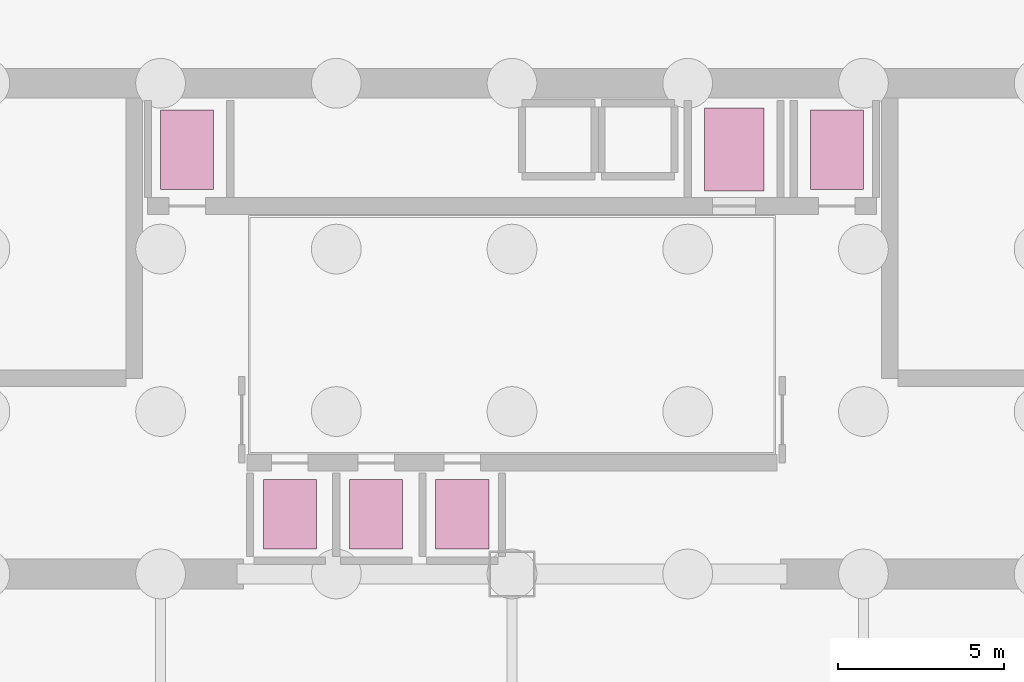
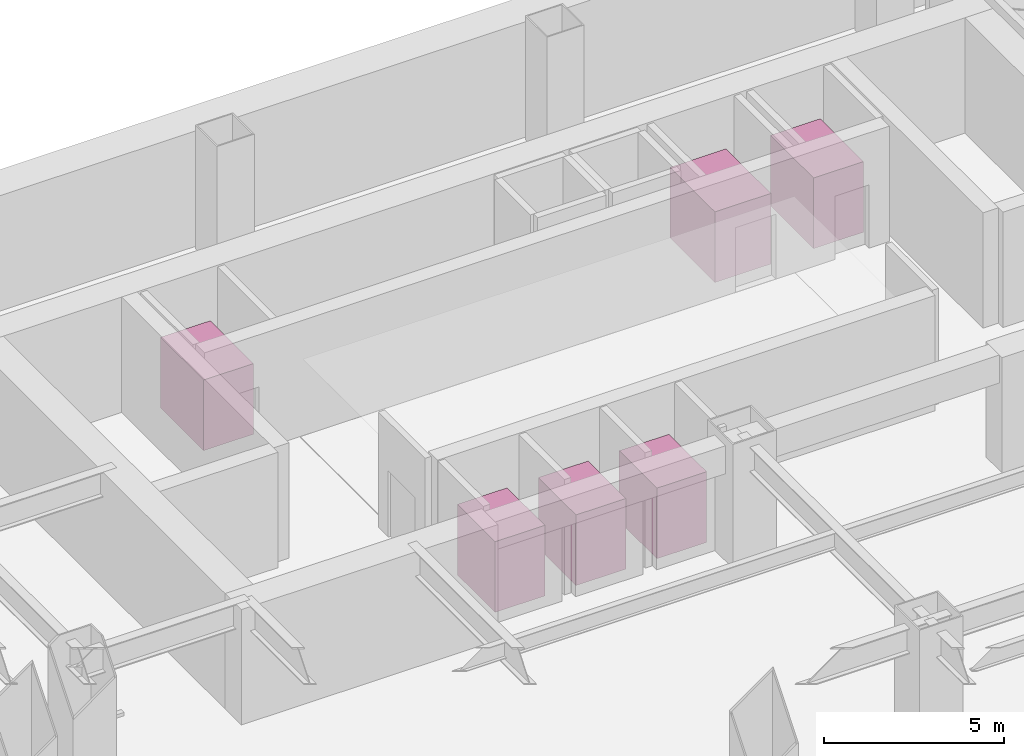
# One storey, part 7 of 7: 6 transport elements.
"""IFC4 building model written with IfcOpenShell, lengths in metres."""

import ifcopenshell
import ifcopenshell.guid

model = None  # the IFC model being written
_history = None  # IfcOwnerHistory: only IFC2X3 demands one
_inside = {}  # id of a spatial element -> (the spatial element, [elements in it])
_under = {}  # id of a project, library or spatial element -> (it, [spatial elements below it])
_declared = {}  # id of a project -> (the project, [libraries it declares])
_typed = {}  # id of a type object -> (the type object, [elements of that type])
_made_of = {}  # id of a material, layer set ... -> (it, [elements and type objects made of it])


def new_model(schema):
    """Start an empty IFC model of exactly this schema.

    Asked for "IFC4X3", IfcOpenShell would pick the latest addendum, in which some entities
    have other attributes; the version numbers below select the first issue.
    IFC2X3 requires an IfcOwnerHistory on every rooted entity: one is made here for all.
    """
    global model, _history
    if schema == "IFC4X3":
        model = ifcopenshell.file(schema_version=(4, 3, 0, 0))
    else:
        model = ifcopenshell.file(schema=schema)
    _inside.clear()
    _under.clear()
    _declared.clear()
    _typed.clear()
    _made_of.clear()
    _history = None
    if model.schema == "IFC2X3":
        org = make("IfcOrganization", Name="unknown")
        user = make(
            "IfcPersonAndOrganization",
            ThePerson=make("IfcPerson", FamilyName="unknown"),
            TheOrganization=org,
        )
        app = make(
            "IfcApplication",
            ApplicationDeveloper=org,
            Version="unknown",
            ApplicationFullName="unknown",
            ApplicationIdentifier="unknown",
        )
        _history = make(
            "IfcOwnerHistory",
            OwningUser=user,
            OwningApplication=app,
            ChangeAction="ADDED",
            CreationDate=0,
        )
    return model


def make(cls, **values):
    """One entity of the class cls with the attributes given. An attribute that is None is left unset."""
    return model.create_entity(
        cls, **{name: value for name, value in values.items() if value is not None}
    )


def rooted(cls, **values):
    """An entity with a GlobalId (a new one), such as an element, a storey or a relation."""
    return make(cls, GlobalId=ifcopenshell.guid.new(), OwnerHistory=_history, **values)


def si_unit(unit_type, name, prefix=None):
    """IfcSIUnit, for example si_unit("LENGTHUNIT", "METRE", prefix="MILLI")."""
    return make("IfcSIUnit", UnitType=unit_type, Prefix=prefix, Name=name)


def assignment(units):
    """IfcUnitAssignment: the units of a project."""
    return None if units is None else make("IfcUnitAssignment", Units=units)


def point(xyz):
    """IfcCartesianPoint."""
    return None if xyz is None else make("IfcCartesianPoint", Coordinates=xyz)


def direction(xyz):
    """IfcDirection."""
    return None if xyz is None else make("IfcDirection", DirectionRatios=xyz)


def frame(location, z_axis=None, x_axis=None):
    """IfcAxis2Placement3D, a coordinate frame: its origin and axes. An axis left out is left unset."""
    return make(
        "IfcAxis2Placement3D",
        Location=point(location),
        Axis=direction(z_axis),
        RefDirection=direction(x_axis),
    )


def frame_2d(location, x_axis=None):
    """IfcAxis2Placement2D, a coordinate frame in the plane: its origin and x axis."""
    return make(
        "IfcAxis2Placement2D", Location=point(location), RefDirection=direction(x_axis)
    )


def origin():
    """The frame at (0, 0, 0) with its axes left unset."""
    return frame((0.0, 0.0, 0.0))


def origin_2d():
    """The frame at (0, 0) in the plane with its x axis left unset."""
    return frame_2d((0.0, 0.0))


def place(relative_to, where):
    """IfcLocalPlacement: puts the frame where relative to a parent placement (None: the world)."""
    return make(
        "IfcLocalPlacement", PlacementRelTo=relative_to, RelativePlacement=where
    )


def context(
    kind, dimensions, precision=None, world=None, true_north=None, identifier=None
):
    """IfcGeometricRepresentationContext, for example the 3D "Model" context."""
    return make(
        "IfcGeometricRepresentationContext",
        ContextIdentifier=identifier,
        ContextType=kind,
        CoordinateSpaceDimension=dimensions,
        Precision=precision,
        WorldCoordinateSystem=world,
        TrueNorth=true_north,
    )


def subcontext(parent, identifier, kind, view, scale=None):
    """IfcGeometricRepresentationSubContext, for example "Body" below "Model"."""
    return make(
        "IfcGeometricRepresentationSubContext",
        ContextIdentifier=identifier,
        ContextType=kind,
        ParentContext=parent,
        TargetScale=scale,
        TargetView=view,
    )


def project(units=None, contexts=None):
    """IfcProject with its units and contexts."""
    return rooted(
        "IfcProject",
        Name="project",
        RepresentationContexts=contexts,
        UnitsInContext=assignment(units),
    )


def spatial(cls, under=None, at=None, **own):
    """A site, building, storey or space (cls), placed at a placement, below another one or the project."""
    s = rooted(cls, ObjectPlacement=at, **own)
    if under is not None:
        _under.setdefault(under.id(), (under, []))[1].append(s)
    return s


def profile(cls, at=None, kind="AREA", **sizes):
    """A parametric profile (cls). Its sizes go by their IFC names, for example OverallWidth=200.0."""
    return make(cls, ProfileType=kind, Position=at, **sizes)


def rectangle(**sizes):
    """IfcRectangleProfileDef."""
    return profile("IfcRectangleProfileDef", **sizes)


def extrude(swept, where, along, depth):
    """IfcExtrudedAreaSolid: the profile swept, set in the frame where, extruded along a direction by depth."""
    return make(
        "IfcExtrudedAreaSolid",
        SweptArea=swept,
        Position=where,
        ExtrudedDirection=direction(along),
        Depth=depth,
    )


def shape(context_of_items, identifier, shape_type, items):
    """IfcShapeRepresentation: the items that make up one representation, for example the "Body"."""
    return make(
        "IfcShapeRepresentation",
        ContextOfItems=context_of_items,
        RepresentationIdentifier=identifier,
        RepresentationType=shape_type,
        Items=items,
    )


def source(mapping_origin, context_of_items, identifier, shape_type, items):
    """IfcRepresentationMap: a shape defined once, which mapped items show again and again."""
    return make(
        "IfcRepresentationMap",
        MappingOrigin=mapping_origin,
        MappedRepresentation=shape(context_of_items, identifier, shape_type, items),
    )


def transform(
    local_origin,
    x_axis=None,
    y_axis=None,
    z_axis=None,
    scale=None,
    scale2=None,
    scale3=None,
    uniform=True,
):
    """IfcCartesianTransformationOperator3D, or its non-uniform kind. x_axis, y_axis, z_axis: its Axis1, 2, 3."""
    if uniform:
        return make(
            "IfcCartesianTransformationOperator3D",
            Axis1=direction(x_axis),
            Axis2=direction(y_axis),
            LocalOrigin=point(local_origin),
            Scale=scale,
            Axis3=direction(z_axis),
        )
    return make(
        "IfcCartesianTransformationOperator3DnonUniform",
        Axis1=direction(x_axis),
        Axis2=direction(y_axis),
        LocalOrigin=point(local_origin),
        Scale=scale,
        Axis3=direction(z_axis),
        Scale2=scale2,
        Scale3=scale3,
    )


def mapped(mapping_source, mapping_target):
    """IfcMappedItem: shows the shape of a source again, moved by a transform."""
    return make(
        "IfcMappedItem", MappingSource=mapping_source, MappingTarget=mapping_target
    )


def material(Name=None, Category=None):
    """IfcMaterial."""
    return make("IfcMaterial", Name=Name, Category=Category)


def made_of(thing, what):
    """Note that an element or type object is made of a material, layer set ...; save() writes the relation."""
    if what is not None:
        _made_of.setdefault(what.id(), (what, []))[1].append(thing)
    return thing


def type_object(cls, material=None, **own):
    """A type object (cls), such as IfcWallType, which elements share."""
    return made_of(rooted(cls, **own), material)


def element(
    cls,
    number,
    at=None,
    inside=None,
    cuts=None,
    type_object=None,
    material=None,
    context=None,
    identifier="Body",
    shape_type=None,
    held_by="IfcProductDefinitionShape",
    body=None,
    shapes=None,
    **own,
):
    """One element of the class cls, such as IfcWall. Its Tag is "e" and its number.

    at: its placement. inside: the storey or other place that contains it. cuts: it is an
    opening in that element (IfcRelVoidsElement). A single representation is given by context,
    identifier, shape_type and body (its items); several are given by shapes. held_by: the class
    of the entity that holds the representations. save() writes the other relations.
    """
    e = rooted(cls, Tag="e%d" % number, ObjectPlacement=at, **own)
    if body is not None:
        shapes = [shape(context, identifier, shape_type, body)]
    if shapes is not None:
        e.Representation = make(held_by, Representations=shapes)
    if inside is not None:
        _inside.setdefault(inside.id(), (inside, []))[1].append(e)
    if cuts is not None:
        rooted(
            "IfcRelVoidsElement", RelatingBuildingElement=cuts, RelatedOpeningElement=e
        )
    if type_object is not None:
        _typed.setdefault(type_object.id(), (type_object, []))[1].append(e)
    return made_of(e, material)


def aggregate(whole, parts):
    """IfcRelAggregates: a whole, such as a stair, and the parts it consists of."""
    return rooted("IfcRelAggregates", RelatingObject=whole, RelatedObjects=parts)


def save(model, path):
    """Write the relations noted so far, then the file.

    IfcRelAggregates (storeys below a building ...), IfcRelContainedInSpatialStructure (elements
    in a storey), IfcRelDefinesByType, IfcRelAssociatesMaterial and IfcRelDeclares: one each for
    every whole, place, type object, material and project.
    """
    for whole, parts in _under.values():
        aggregate(whole, parts)
    for where, things in _inside.values():
        rooted(
            "IfcRelContainedInSpatialStructure",
            RelatedElements=things,
            RelatingStructure=where,
        )
    for kind, things in _typed.values():
        rooted("IfcRelDefinesByType", RelatedObjects=things, RelatingType=kind)
    for what, things in _made_of.values():
        rooted("IfcRelAssociatesMaterial", RelatedObjects=things, RelatingMaterial=what)
    for by, libraries in _declared.values():
        rooted("IfcRelDeclares", RelatingContext=by, RelatedDefinitions=libraries)
    model.write(path)


model = new_model("IFC4")

# Units and contexts
model_context = context("Model", 3, precision=1e-05, world=origin(), true_north=direction((0.0, 1.0)))
body_context = subcontext(model_context, "Body", "Model", "MODEL_VIEW")
ifc_project = project(units=[si_unit("LENGTHUNIT", "METRE"), si_unit("AREAUNIT", "SQUARE_METRE"), si_unit("VOLUMEUNIT", "CUBIC_METRE"), si_unit("PLANEANGLEUNIT", "RADIAN"), si_unit("MASSUNIT", "GRAM", prefix="KILO")], contexts=[model_context])

# Site, building, storey
site_placement = place(None, origin())
site = spatial("IfcSite", under=ifc_project, at=site_placement, CompositionType="ELEMENT")
building_placement = place(site_placement, origin())
building = spatial("IfcBuilding", under=site, at=building_placement, Name="Qianlan Lanfeng Residences", CompositionType="ELEMENT")
storey_placement = place(building_placement, frame((0.0, 0.0, -8.39990234375)))
storey = spatial("IfcBuildingStorey", under=building, at=storey_placement, Name="B2", CompositionType="ELEMENT", Elevation=-8.39990234375)

# Transport elements
ifc_material = material(Name="Brushed Stainless Steel Lift Car", Category="steel")
transport_element_type_1 = type_object("IfcTransportElementType", Name="LFT-FF-1600", PredefinedType="ELEVATOR", material=ifc_material)
shared_shape_1 = source(origin(), body_context, "Body", "SweptSolid", [
    extrude(rectangle(XDim=1.60009765625, YDim=2.39990234375, at=origin_2d()), origin(), (0.0, 0.0, 1.0), 2.39990234375),
])
for number, where, z_axis, x_axis, name in (
    (1, (16.699951171875, 38.0, 0.0), (0.0, 0.0, 1.0), (1.0, 0.0, 0.0), "Elevator FFL-1 Car"),
    (2, (36.300048828125, 38.0, 0.0), (0.0, 0.0, 1.0), (1.0, 0.0, 0.0), "Elevator FFL-2 Car"),
):
    element("IfcTransportElement", number, at=place(storey_placement, frame(where, z_axis=z_axis, x_axis=x_axis)), inside=storey, type_object=transport_element_type_1, Name=name, PredefinedType="ELEVATOR", context=body_context, shape_type="MappedRepresentation", body=[
        mapped(shared_shape_1, transform((0.0, 0.0, 0.0), scale=1.0)),
    ])
transport_element_type_2 = type_object("IfcTransportElementType", Name="LFT-SV-2000", PredefinedType="ELEVATOR", material=ifc_material)
shared_shape_2 = source(origin(), body_context, "Body", "SweptSolid", [
    extrude(rectangle(XDim=1.800048828125, YDim=2.5, at=origin_2d()), origin(), (0.0, 0.0, 1.0), 2.39990234375),
])
transport_element_placement = place(storey_placement, frame((33.199951171875, 38.0, 0.0), z_axis=(0.0, 0.0, 1.0), x_axis=(1.0, 0.0, 0.0)))
element("IfcTransportElement", 3, at=transport_element_placement, inside=storey, type_object=transport_element_type_2, Name="Elevator SVL-1 Car", PredefinedType="ELEVATOR", context=body_context, shape_type="MappedRepresentation", body=[
    mapped(shared_shape_2, transform((0.0, 0.0, 0.0), scale=1.0)),
])
transport_element_type_3 = type_object("IfcTransportElementType", Name="LFT-PS-1350", PredefinedType="ELEVATOR", material=ifc_material)
shared_shape_3 = source(origin(), body_context, "Body", "SweptSolid", [
    extrude(rectangle(XDim=1.60009765625, YDim=2.10009765625, at=origin_2d()), origin(), (0.0, 0.0, 1.0), 2.39990234375),
])
for number, where, z_axis, x_axis, name in (
    (4, (19.800048828125, 27.0, 0.0), (0.0, 0.0, 1.0), (1.0, 0.0, 0.0), "Elevator PL-L1 Car"),
    (5, (22.39990234375, 27.0, 0.0), (0.0, 0.0, 1.0), (1.0, 0.0, 0.0), "Elevator PL-L2 Car"),
    (6, (25.0, 27.0, 0.0), (0.0, 0.0, 1.0), (1.0, 0.0, 0.0), "Elevator PL-L3 Car"),
):
    element("IfcTransportElement", number, at=place(storey_placement, frame(where, z_axis=z_axis, x_axis=x_axis)), inside=storey, type_object=transport_element_type_3, Name=name, PredefinedType="ELEVATOR", context=body_context, shape_type="MappedRepresentation", body=[
        mapped(shared_shape_3, transform((0.0, 0.0, 0.0), scale=1.0)),
    ])

save(model, "model.ifc")
